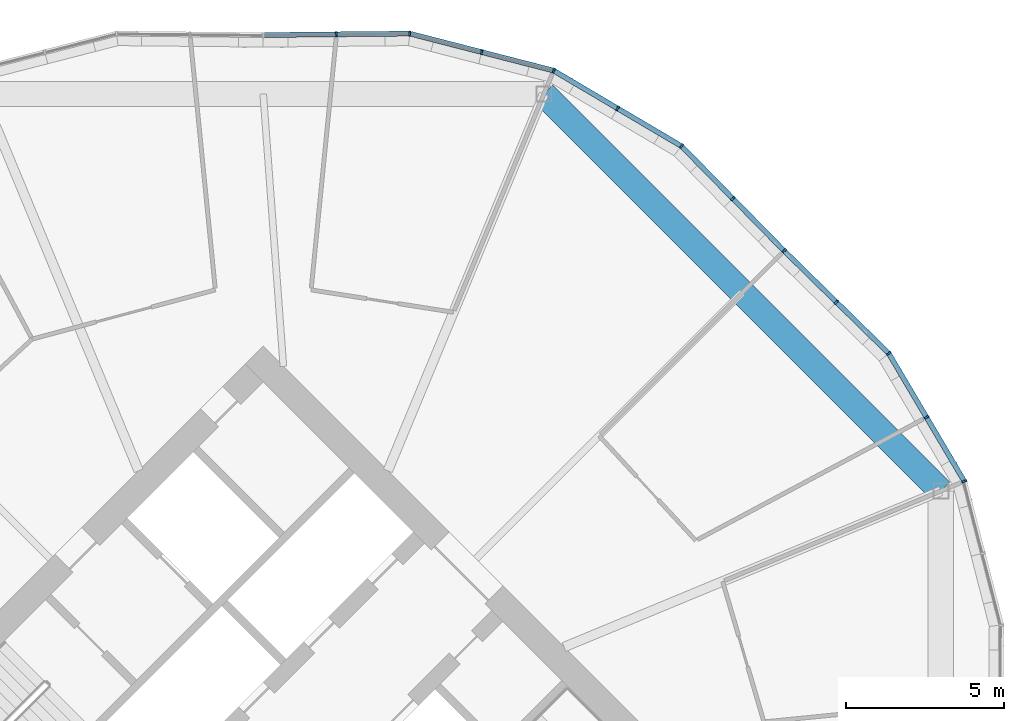
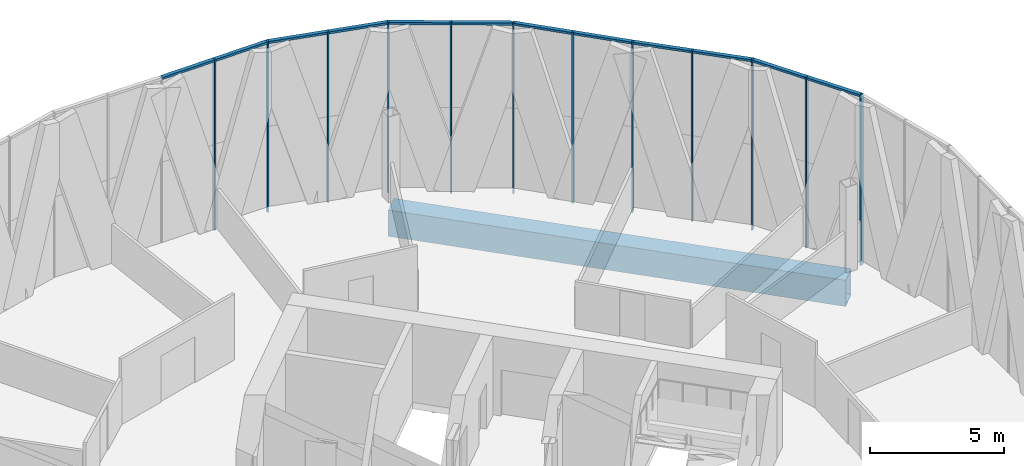
# One storey, part 17 of 31: 24 members, 1 beam, 2 elements without a shape of their own.
"""IFC4 building model written with IfcOpenShell, lengths in metres."""

from ifc_helpers import new_model, si_unit, direction, frame, origin, origin_2d, place, context, subcontext, project, spatial, rectangle, hollow_rectangle, extrude, material, material_profile, profile_set, type_object, element, aggregate, save


model = new_model("IFC4")

# Units and contexts
model_context = context("Model", 3, precision=1e-05, world=origin(), true_north=direction((0.0, 1.0)))
body_context = subcontext(model_context, "Body", "Model", "MODEL_VIEW")
ifc_project = project(units=[si_unit("LENGTHUNIT", "METRE"), si_unit("AREAUNIT", "SQUARE_METRE"), si_unit("VOLUMEUNIT", "CUBIC_METRE"), si_unit("PLANEANGLEUNIT", "RADIAN"), si_unit("MASSUNIT", "GRAM", prefix="KILO")], contexts=[model_context])

# Site, building, storey
site_placement = place(None, origin())
site = spatial("IfcSite", under=ifc_project, at=site_placement, CompositionType="ELEMENT")
building_placement = place(site_placement, origin())
building = spatial("IfcBuilding", under=site, at=building_placement, Name="Ogive Gate Towers", CompositionType="ELEMENT")
storey_placement = place(building_placement, frame((0.0, 0.0, 107.39990234375)))
storey = spatial("IfcBuildingStorey", under=building, at=storey_placement, Name="L25", CompositionType="ELEMENT", Elevation=107.39990234375)

# Beam
ifc_material_1 = material(Name="Steel SM460", Category="steel")
ifc_material_profile_1 = material_profile(ifc_material_1, hollow_rectangle(XDim=0.800048828125, YDim=1.199951171875, WallThickness=0.050048828125, at=origin_2d()), Name="BX 1200x800x50")
ifc_profile_set_1 = profile_set([ifc_material_profile_1], Name="Steel SM460")
beam_type = type_object("IfcBeamType", Name="Edge girder BX 1200x800x50", PredefinedType="BEAM", material=ifc_profile_set_1)
beam_placement = place(storey_placement, frame((57.39697265625, 8.863037109375, -0.89990234375), z_axis=(-0.707106781187, 0.707106781187, 0.0), x_axis=(-0.707106781187, -0.707106781187, 0.0)))
element("IfcBeam", 1, at=beam_placement, inside=storey, type_object=beam_type, Name="T2/L25/SBM021", PredefinedType="BEAM", context=body_context, shape_type="SweptSolid", body=[
    extrude(hollow_rectangle(XDim=0.800048828125, YDim=1.199951171875, WallThickness=0.050048828125, at=origin_2d()), origin(), (0.0, 0.0, 1.0), 17.7255859375),
])

# Curtain wall, members
ifc_material_2 = material(Name="Pale metal aluminium", Category="aluminium")
curtain_wall_type = type_object("IfcCurtainWallType", Name="Tower unitised wall, low zone", PredefinedType="NOTDEFINED", material=ifc_material_2)
curtain_wall_1_placement = place(storey_placement, origin())
curtain_wall_1 = element("IfcCurtainWall", 2, at=curtain_wall_1_placement, inside=storey, type_object=curtain_wall_type, Name="CW1 T2 ECW03", PredefinedType="NOTDEFINED")
ifc_material_profile_2 = material_profile(ifc_material_2, rectangle(XDim=0.159912109375, YDim=0.06005859375, at=origin_2d()), Name="60 x 160 aluminium box")
ifc_profile_set_2 = profile_set([ifc_material_profile_2], Name="Pale metal aluminium")
member_type_1 = type_object("IfcMemberType", Name="Tower unitised wall, low zone mullion 60 x 160", PredefinedType="MULLION", material=ifc_profile_set_2)
member_1_placement = place(storey_placement, frame((52.447265625, 16.447509765625, -0.2998046875), z_axis=(0.0, 0.0, 1.0), x_axis=(-0.700062268192, -0.714081802495, 0.0)))
member_1 = element("IfcMember", 3, at=member_1_placement, type_object=member_type_1, Name="CW1 mullion", PredefinedType="MULLION", context=body_context, shape_type="SweptSolid", body=[
    extrude(rectangle(XDim=0.159912109375, YDim=0.06005859375, at=origin_2d()), origin(), (0.0, 0.0, 1.0), 7.7998046875),
])
member_2_placement = place(storey_placement, frame((54.098388671875, 14.828857421875, -0.2998046875), z_axis=(0.0, 0.0, 1.0), x_axis=(-0.700062268192, -0.714081802495, 0.0)))
member_2 = element("IfcMember", 4, at=member_2_placement, type_object=member_type_1, Name="CW1 mullion", PredefinedType="MULLION", context=body_context, shape_type="SweptSolid", body=[
    extrude(rectangle(XDim=0.159912109375, YDim=0.06005859375, at=origin_2d()), origin(), (0.0, 0.0, 1.0), 7.7998046875),
])
member_3_placement = place(storey_placement, frame((55.7509765625, 13.208251953125, -0.2998046875), z_axis=(0.0, 0.0, 1.0), x_axis=(-0.787236468595, -0.616651232476, 0.0)))
member_3 = element("IfcMember", 5, at=member_3_placement, type_object=member_type_1, Name="CW1 mullion", PredefinedType="MULLION", context=body_context, shape_type="SweptSolid", body=[
    extrude(rectangle(XDim=0.159912109375, YDim=0.06005859375, at=origin_2d()), origin(), (0.0, 0.0, 1.0), 7.7998046875),
])
member_4_placement = place(storey_placement, frame((56.944091796875, 11.189208984375, -0.2998046875), z_axis=(0.0, 0.0, 1.0), x_axis=(-0.860972934041, -0.508650771011, 0.0)))
member_4 = element("IfcMember", 6, at=member_4_placement, type_object=member_type_1, Name="CW1 mullion", PredefinedType="MULLION", context=body_context, shape_type="SweptSolid", body=[
    extrude(rectangle(XDim=0.159912109375, YDim=0.06005859375, at=origin_2d()), origin(), (0.0, 0.0, 1.0), 7.7998046875),
])
member_5_placement = place(storey_placement, frame((58.13720703125, 9.16943359375, -0.2998046875), z_axis=(0.0, 0.0, 1.0), x_axis=(-0.923886211456, -0.382667307567, 0.0)))
member_5 = element("IfcMember", 7, at=member_5_placement, type_object=member_type_1, Name="CW1 mullion", PredefinedType="MULLION", context=body_context, shape_type="SweptSolid", body=[
    extrude(rectangle(XDim=0.159912109375, YDim=0.06005859375, at=origin_2d()), origin(), (0.0, 0.0, 1.0), 7.7998046875),
])

curtain_wall_2_placement = place(storey_placement, origin())
curtain_wall_2 = element("IfcCurtainWall", 8, at=curtain_wall_2_placement, inside=storey, type_object=curtain_wall_type, Name="CW1 T2 ECW04", PredefinedType="NOTDEFINED")
member_6_placement = place(storey_placement, frame((38.31201171875, 23.282958984375, -0.2998046875), z_axis=(0.0, 0.0, 1.0), x_axis=(0.009930760208, -0.999950688785, 0.0)))
member_6 = element("IfcMember", 9, at=member_6_placement, type_object=member_type_1, Name="CW1 mullion", PredefinedType="MULLION", context=body_context, shape_type="SweptSolid", body=[
    extrude(rectangle(XDim=0.159912109375, YDim=0.06005859375, at=origin_2d()), origin(), (0.0, 0.0, 1.0), 7.7998046875),
])
member_7_placement = place(storey_placement, frame((40.62646484375, 23.305908203125, -0.2998046875), z_axis=(0.0, 0.0, 1.0), x_axis=(-0.120639303069, -0.99269640805, 0.0)))
member_7 = element("IfcMember", 10, at=member_7_placement, type_object=member_type_1, Name="CW1 mullion", PredefinedType="MULLION", context=body_context, shape_type="SweptSolid", body=[
    extrude(rectangle(XDim=0.159912109375, YDim=0.06005859375, at=origin_2d()), origin(), (0.0, 0.0, 1.0), 7.7998046875),
])
member_8_placement = place(storey_placement, frame((42.89794921875, 22.7216796875, -0.2998046875), z_axis=(0.0, 0.0, 1.0), x_axis=(-0.249129390641, -0.968470209515, 0.0)))
member_8 = element("IfcMember", 11, at=member_8_placement, type_object=member_type_1, Name="CW1 mullion", PredefinedType="MULLION", context=body_context, shape_type="SweptSolid", body=[
    extrude(rectangle(XDim=0.159912109375, YDim=0.06005859375, at=origin_2d()), origin(), (0.0, 0.0, 1.0), 7.7998046875),
])
member_9_placement = place(storey_placement, frame((45.16943359375, 22.13720703125, -0.2998046875), z_axis=(0.0, 0.0, 1.0), x_axis=(-0.382667307567, -0.923886211456, 0.0)))
member_9 = element("IfcMember", 12, at=member_9_placement, type_object=member_type_1, Name="CW1 mullion", PredefinedType="MULLION", context=body_context, shape_type="SweptSolid", body=[
    extrude(rectangle(XDim=0.159912109375, YDim=0.06005859375, at=origin_2d()), origin(), (0.0, 0.0, 1.0), 7.7998046875),
])
member_10_placement = place(storey_placement, frame((47.189208984375, 20.944091796875, -0.2998046875), z_axis=(0.0, 0.0, 1.0), x_axis=(-0.508650771011, -0.860972934041, 0.0)))
member_10 = element("IfcMember", 13, at=member_10_placement, type_object=member_type_1, Name="CW1 mullion", PredefinedType="MULLION", context=body_context, shape_type="SweptSolid", body=[
    extrude(rectangle(XDim=0.159912109375, YDim=0.06005859375, at=origin_2d()), origin(), (0.0, 0.0, 1.0), 7.7998046875),
])
member_11_placement = place(storey_placement, frame((49.208251953125, 19.7509765625, -0.2998046875), z_axis=(0.0, 0.0, 1.0), x_axis=(-0.616651232476, -0.787236468595, 0.0)))
member_11 = element("IfcMember", 14, at=member_11_placement, type_object=member_type_1, Name="CW1 mullion", PredefinedType="MULLION", context=body_context, shape_type="SweptSolid", body=[
    extrude(rectangle(XDim=0.159912109375, YDim=0.06005859375, at=origin_2d()), origin(), (0.0, 0.0, 1.0), 7.7998046875),
])
member_12_placement = place(storey_placement, frame((50.828857421875, 18.098388671875, -0.2998046875), z_axis=(0.0, 0.0, 1.0), x_axis=(-0.714081802495, -0.700062268192, 0.0)))
member_12 = element("IfcMember", 15, at=member_12_placement, type_object=member_type_1, Name="CW1 mullion", PredefinedType="MULLION", context=body_context, shape_type="SweptSolid", body=[
    extrude(rectangle(XDim=0.159912109375, YDim=0.06005859375, at=origin_2d()), origin(), (0.0, 0.0, 1.0), 7.7998046875),
])

# Member
ifc_material_profile_3 = material_profile(ifc_material_2, rectangle(XDim=0.159912109375, YDim=0.10009765625, at=origin_2d()), Name="100 x 160 aluminium box")
ifc_profile_set_3 = profile_set([ifc_material_profile_3], Name="Pale metal aluminium")
member_type_2 = type_object("IfcMemberType", Name="Tower unitised wall, low zone transom 100 x 160", PredefinedType="USERDEFINED", material=ifc_profile_set_3)
member_13_placement = place(storey_placement, frame((52.468505859375, 16.426513671875, 7.4501953125), z_axis=(0.714117462879, -0.700025891815, 0.0), x_axis=(0.700025891815, 0.714117462879, 0.0)))
member_13 = element("IfcMember", 16, at=member_13_placement, type_object=member_type_2, Name="CW1 transom", ObjectType="TRANSOM", PredefinedType="USERDEFINED", context=body_context, shape_type="SweptSolid", body=[
    extrude(rectangle(XDim=0.159912109375, YDim=0.10009765625, at=origin_2d()), origin(), (0.0, 0.0, 1.0), 2.252197265625),
])

member_14_placement = place(storey_placement, frame((54.11962890625, 14.807861328125, 7.4501953125), z_axis=(0.714064338399, -0.700080081582, 0.0), x_axis=(0.700080081582, 0.714064338399, 0.0)))
member_14 = element("IfcMember", 17, at=member_14_placement, type_object=member_type_2, Name="CW1 transom", ObjectType="TRANSOM", PredefinedType="USERDEFINED", context=body_context, shape_type="SweptSolid", body=[
    extrude(rectangle(XDim=0.159912109375, YDim=0.10009765625, at=origin_2d()), origin(), (0.0, 0.0, 1.0), 2.252197265625),
])

member_15_placement = place(storey_placement, frame((55.767822265625, 13.18017578125, 7.4501953125), z_axis=(0.508664451489, -0.860964851658, 0.0), x_axis=(0.860964851658, 0.508664451489, 0.0)))
member_15 = element("IfcMember", 18, at=member_15_placement, type_object=member_type_2, Name="CW1 transom", ObjectType="TRANSOM", PredefinedType="USERDEFINED", context=body_context, shape_type="SweptSolid", body=[
    extrude(rectangle(XDim=0.159912109375, YDim=0.10009765625, at=origin_2d()), origin(), (0.0, 0.0, 1.0), 2.28271484375),
])

member_16_placement = place(storey_placement, frame((56.95947265625, 11.1630859375, 7.4501953125), z_axis=(0.508664451489, -0.860964851658, 0.0), x_axis=(0.860964851658, 0.508664451489, 0.0)))
member_16 = element("IfcMember", 19, at=member_16_placement, type_object=member_type_2, Name="CW1 transom", ObjectType="TRANSOM", PredefinedType="USERDEFINED", context=body_context, shape_type="SweptSolid", body=[
    extrude(rectangle(XDim=0.159912109375, YDim=0.10009765625, at=origin_2d()), origin(), (0.0, 0.0, 1.0), 2.28271484375),
])

aggregate(curtain_wall_1, [member_1, member_2, member_13, member_3, member_14, member_4, member_15, member_5, member_16])

member_17_placement = place(storey_placement, frame((36.02978515625, 23.26025390625, 7.4501953125), z_axis=(0.999950274345, 0.00997240382, 0.0), x_axis=(-0.00997240382, 0.999950274345, 0.0)))
member_17 = element("IfcMember", 20, at=member_17_placement, type_object=member_type_2, Name="CW1 transom", ObjectType="TRANSOM", PredefinedType="USERDEFINED", context=body_context, shape_type="SweptSolid", body=[
    extrude(rectangle(XDim=0.159912109375, YDim=0.10009765625, at=origin_2d()), origin(), (0.0, 0.0, 1.0), 2.252197265625),
])

member_18_placement = place(storey_placement, frame((38.341796875, 23.283203125, 7.4501953125), z_axis=(0.999950274345, 0.00997240382, 0.0), x_axis=(-0.00997240382, 0.999950274345, 0.0)))
member_18 = element("IfcMember", 21, at=member_18_placement, type_object=member_type_2, Name="CW1 transom", ObjectType="TRANSOM", PredefinedType="USERDEFINED", context=body_context, shape_type="SweptSolid", body=[
    extrude(rectangle(XDim=0.159912109375, YDim=0.10009765625, at=origin_2d()), origin(), (0.0, 0.0, 1.0), 2.252197265625),
])

member_19_placement = place(storey_placement, frame((40.658203125, 23.2978515625, 7.4501953125), z_axis=(0.968452382745, -0.249198680485, 0.0), x_axis=(0.249198680485, 0.968452382745, 0.0)))
member_19 = element("IfcMember", 22, at=member_19_placement, type_object=member_type_2, Name="CW1 transom", ObjectType="TRANSOM", PredefinedType="USERDEFINED", context=body_context, shape_type="SweptSolid", body=[
    extrude(rectangle(XDim=0.159912109375, YDim=0.10009765625, at=origin_2d()), origin(), (0.0, 0.0, 1.0), 2.28271484375),
])

member_20_placement = place(storey_placement, frame((42.927001953125, 22.714111328125, 7.4501953125), z_axis=(0.968478189772, -0.249098365983, 0.0), x_axis=(0.249098365983, 0.968478189772, 0.0)))
member_20 = element("IfcMember", 23, at=member_20_placement, type_object=member_type_2, Name="CW1 transom", ObjectType="TRANSOM", PredefinedType="USERDEFINED", context=body_context, shape_type="SweptSolid", body=[
    extrude(rectangle(XDim=0.159912109375, YDim=0.10009765625, at=origin_2d()), origin(), (0.0, 0.0, 1.0), 2.28271484375),
])

member_21_placement = place(storey_placement, frame((45.19775390625, 22.12060546875, 7.4501953125), z_axis=(0.860964851658, -0.508664451489, 0.0), x_axis=(0.508664451489, 0.860964851658, 0.0)))
member_21 = element("IfcMember", 24, at=member_21_placement, type_object=member_type_2, Name="CW1 transom", ObjectType="TRANSOM", PredefinedType="USERDEFINED", context=body_context, shape_type="SweptSolid", body=[
    extrude(rectangle(XDim=0.159912109375, YDim=0.10009765625, at=origin_2d()), origin(), (0.0, 0.0, 1.0), 2.28271484375),
])

member_22_placement = place(storey_placement, frame((47.21484375, 20.928955078125, 7.4501953125), z_axis=(0.860964851658, -0.508664451489, 0.0), x_axis=(0.508664451489, 0.860964851658, 0.0)))
member_22 = element("IfcMember", 25, at=member_22_placement, type_object=member_type_2, Name="CW1 transom", ObjectType="TRANSOM", PredefinedType="USERDEFINED", context=body_context, shape_type="SweptSolid", body=[
    extrude(rectangle(XDim=0.159912109375, YDim=0.10009765625, at=origin_2d()), origin(), (0.0, 0.0, 1.0), 2.28271484375),
])

member_23_placement = place(storey_placement, frame((49.231201171875, 19.727783203125, 7.4501953125), z_axis=(0.700080081582, -0.714064338399, 0.0), x_axis=(0.714064338399, 0.700080081582, 0.0)))
member_23 = element("IfcMember", 26, at=member_23_placement, type_object=member_type_2, Name="CW1 transom", ObjectType="TRANSOM", PredefinedType="USERDEFINED", context=body_context, shape_type="SweptSolid", body=[
    extrude(rectangle(XDim=0.159912109375, YDim=0.10009765625, at=origin_2d()), origin(), (0.0, 0.0, 1.0), 2.252197265625),
])

member_24_placement = place(storey_placement, frame((50.849853515625, 18.076904296875, 7.4501953125), z_axis=(0.700025891815, -0.714117462879, 0.0), x_axis=(0.714117462879, 0.700025891815, 0.0)))
member_24 = element("IfcMember", 27, at=member_24_placement, type_object=member_type_2, Name="CW1 transom", ObjectType="TRANSOM", PredefinedType="USERDEFINED", context=body_context, shape_type="SweptSolid", body=[
    extrude(rectangle(XDim=0.159912109375, YDim=0.10009765625, at=origin_2d()), origin(), (0.0, 0.0, 1.0), 2.252197265625),
])

aggregate(curtain_wall_2, [member_6, member_17, member_7, member_18, member_8, member_19, member_9, member_20, member_10, member_21, member_11, member_22, member_12, member_23, member_24])

save(model, "model.ifc")
